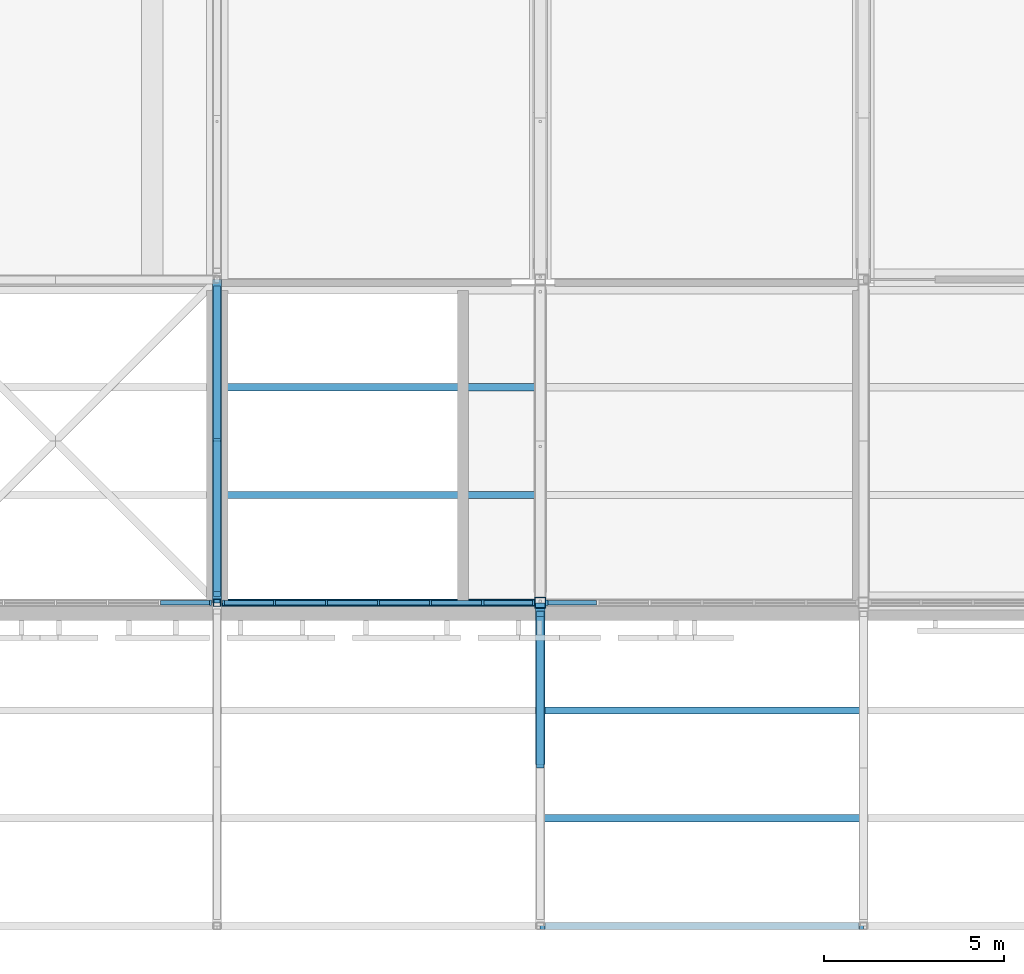
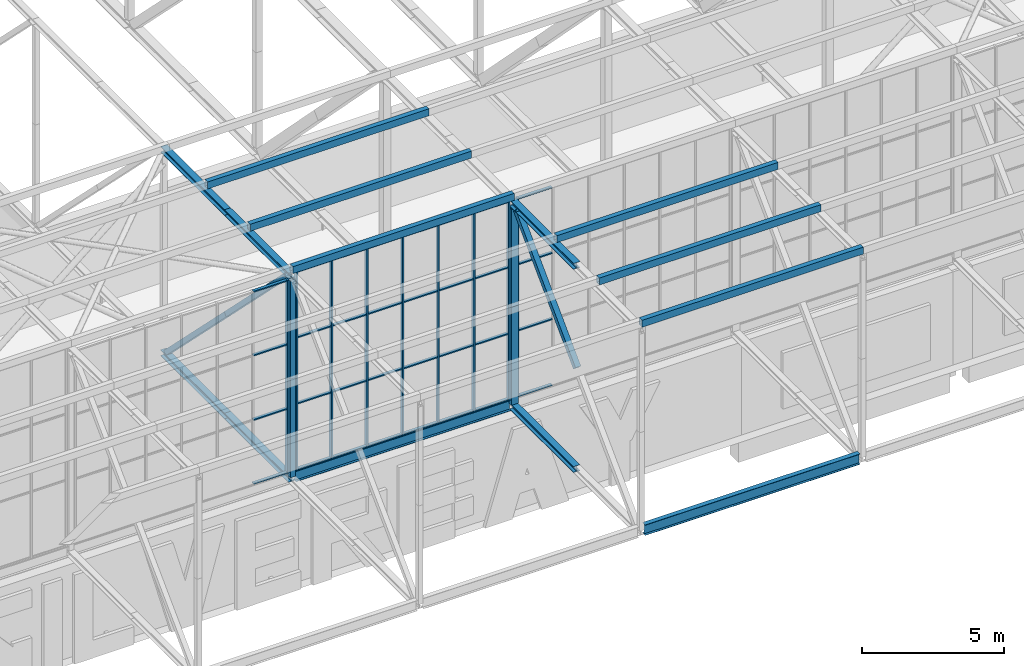
# One storey, part 18 of 646: 60 members, 2 beams, 3 elements without a shape of their own.
"""IFC4 building model written with IfcOpenShell, lengths in metres."""

from ifc_helpers import new_model, si_unit, direction, frame, origin, origin_2d, place, context, subcontext, project, spatial, rectangle, hollow_rectangle, i_section, extrude, material, material_profile, profile_set, type_object, element, aggregate, save


model = new_model("IFC4")

# Units and contexts
model_context = context("Model", 3, precision=1e-05, world=origin(), true_north=direction((0.0, 1.0)))
body_context = subcontext(model_context, "Body", "Model", "MODEL_VIEW")
ifc_project = project(units=[si_unit("LENGTHUNIT", "METRE"), si_unit("AREAUNIT", "SQUARE_METRE"), si_unit("VOLUMEUNIT", "CUBIC_METRE"), si_unit("PLANEANGLEUNIT", "RADIAN"), si_unit("MASSUNIT", "GRAM", prefix="KILO")], contexts=[model_context])

# Site, building, storey
site_placement = place(None, origin())
site = spatial("IfcSite", under=ifc_project, at=site_placement, CompositionType="ELEMENT")
building_placement = place(site_placement, origin())
building = spatial("IfcBuilding", under=site, at=building_placement, Name="Silverbay Arena", CompositionType="ELEMENT")
storey_placement = place(building_placement, frame((0.0, 0.0, 33.5)))
storey = spatial("IfcBuildingStorey", under=building, at=storey_placement, Name="L05", CompositionType="ELEMENT", Elevation=33.5)

# Members
ifc_material_1 = material(Name="Steel S355", Category="steel")
ifc_material_profile_1 = material_profile(ifc_material_1, i_section(OverallWidth=0.2587890625, OverallDepth=0.2666015625, WebThickness=0.0126953125, FlangeThickness=0.0205078125, at=origin_2d()), Name="UC 254x254x107")
ifc_profile_set_1 = profile_set([ifc_material_profile_1], Name="Steel S355")
member_type_1 = type_object("IfcMemberType", Name="Main-span bottom chord UC 254x254x107", PredefinedType="CHORD", material=ifc_profile_set_1)
member_1_placement = place(storey_placement, frame((108.0, 13.5, 4.13330078125), z_axis=(0.0, 1.0, 0.0), x_axis=(-1.0, 0.0, 0.0)))
element("IfcMember", 1, at=member_1_placement, inside=storey, type_object=member_type_1, Name="ROOF TRUSS 13 bottom chord 01b", PredefinedType="CHORD", context=body_context, shape_type="SweptSolid", body=[
    extrude(i_section(OverallWidth=0.2587890625, OverallDepth=0.2666015625, WebThickness=0.0126953125, FlangeThickness=0.0205078125, at=origin_2d()), origin(), (0.0, 0.0, 1.0), 4.5),
])
ifc_material_2 = material(Name="Steel S355", Category="steel")
ifc_material_profile_2 = material_profile(ifc_material_2, i_section(OverallWidth=0.2587890625, OverallDepth=0.2666015625, WebThickness=0.0126953125, FlangeThickness=0.0205078125, at=origin_2d()), Name="UC 254x254x107")
ifc_profile_set_2 = profile_set([ifc_material_profile_2], Name="Steel S355")
member_type_2 = type_object("IfcMemberType", Name="Main-span top chord UC 254x254x107", PredefinedType="CHORD", material=ifc_profile_set_2)
member_2_placement = place(storey_placement, frame((108.0, 13.5, 12.86669921875), z_axis=(0.0, 1.0, 0.0), x_axis=(-1.0, 0.0, 0.0)))
element("IfcMember", 2, at=member_2_placement, inside=storey, type_object=member_type_2, Name="ROOF TRUSS 13 top chord 01b", PredefinedType="CHORD", context=body_context, shape_type="SweptSolid", body=[
    extrude(i_section(OverallWidth=0.2587890625, OverallDepth=0.2666015625, WebThickness=0.0126953125, FlangeThickness=0.0205078125, at=origin_2d()), origin(), (0.0, 0.0, 1.0), 4.5),
])
ifc_material_3 = material(Name="Steel S355", Category="steel")
ifc_material_profile_3 = material_profile(ifc_material_3, hollow_rectangle(XDim=0.219970703125, YDim=0.219970703125, WallThickness=0.008056640625, at=origin_2d()), Name="SHS 220x220x8")
ifc_profile_set_3 = profile_set([ifc_material_profile_3], Name="Steel S355")
member_type_3 = type_object("IfcMemberType", Name="Main-span truss diagonal SHS 220x220x8", PredefinedType="BRACE", material=ifc_profile_set_3)
member_3_placement = place(storey_placement, frame((108.0, 17.689453125, 12.7333984375), z_axis=(0.0, -0.70551102507, -0.708698944196), x_axis=(1.0, 0.0, 0.0)))
element("IfcMember", 3, at=member_3_placement, inside=storey, type_object=member_type_3, Name="ROOF TRUSS 13 diagonal 01a", PredefinedType="BRACE", context=body_context, shape_type="SweptSolid", body=[
    extrude(hollow_rectangle(XDim=0.219970703125, YDim=0.219970703125, WallThickness=0.008056640625, at=origin_2d()), origin(), (0.0, 0.0, 1.0), 5.973388671875),
])
ifc_material_4 = material(Name="Steel S355", Category="steel")
ifc_material_profile_4 = material_profile(ifc_material_4, hollow_rectangle(XDim=0.300048828125, YDim=0.300048828125, WallThickness=0.012451171875, at=origin_2d()), Name="SHS 300x300x12.5")
ifc_profile_set_4 = profile_set([ifc_material_profile_4], Name="Steel S355")
member_type_4 = type_object("IfcMemberType", Name="Main-span truss vertical SHS 300x300x12.5", PredefinedType="STRUT", material=ifc_profile_set_4)
for number, where, z_axis, x_axis, name in (
    (4, (108.0, 18.0, 4.2666015625), (0.0, 0.0, 1.0), (1.0, 0.0, 0.0), "ROOF TRUSS 13 vertical 02a"),
    (5, (108.0, 18.0, 8.47607421875), (0.0, 0.0, 1.0), (1.0, 0.0, 0.0), "ROOF TRUSS 13 vertical 02b"),
):
    element("IfcMember", number, at=place(storey_placement, frame(where, z_axis=z_axis, x_axis=x_axis)), inside=storey, type_object=member_type_4, Name=name, PredefinedType="STRUT", context=body_context, shape_type="SweptSolid", body=[
        extrude(hollow_rectangle(XDim=0.300048828125, YDim=0.300048828125, WallThickness=0.012451171875, at=origin_2d()), origin(), (0.0, 0.0, 1.0), 4.20947265625),
    ])
ifc_material_5 = material(Name="Steel S355", Category="steel")
ifc_material_profile_5 = material_profile(ifc_material_5, i_section(OverallWidth=0.254638671875, OverallDepth=0.254150390625, WebThickness=0.008544921875, FlangeThickness=0.01416015625, at=origin_2d()), Name="UC 254x254x73")
ifc_profile_set_5 = profile_set([ifc_material_profile_5], Name="Steel S355")
member_type_5 = type_object("IfcMemberType", Name="Medium-span bottom chord UC 254x254x73", PredefinedType="CHORD", material=ifc_profile_set_5)
for number, where, z_axis, x_axis, name in (
    (6, (99.0, 18.0, 4.126953125), (0.0, 1.0, 0.0), (-1.0, 0.0, 0.0), "ROOF TRUSS 12 bottom chord 02a"),
    (7, (99.0, 22.5, 4.126953125), (0.0, 1.0, 0.0), (-1.0, 0.0, 0.0), "ROOF TRUSS 12 bottom chord 02b"),
):
    element("IfcMember", number, at=place(storey_placement, frame(where, z_axis=z_axis, x_axis=x_axis)), inside=storey, type_object=member_type_5, Name=name, PredefinedType="CHORD", context=body_context, shape_type="SweptSolid", body=[
        extrude(i_section(OverallWidth=0.254638671875, OverallDepth=0.254150390625, WebThickness=0.008544921875, FlangeThickness=0.01416015625, at=origin_2d()), origin(), (0.0, 0.0, 1.0), 4.5),
    ])
ifc_material_6 = material(Name="Steel S355", Category="steel")
ifc_material_profile_6 = material_profile(ifc_material_6, i_section(OverallWidth=0.254638671875, OverallDepth=0.254150390625, WebThickness=0.008544921875, FlangeThickness=0.01416015625, at=origin_2d()), Name="UC 254x254x73")
ifc_profile_set_6 = profile_set([ifc_material_profile_6], Name="Steel S355")
member_type_6 = type_object("IfcMemberType", Name="Medium-span top chord UC 254x254x73", PredefinedType="CHORD", material=ifc_profile_set_6)
for number, where, z_axis, x_axis, name in (
    (8, (99.0, 18.0, 12.873046875), (0.0, 1.0, 0.0), (-1.0, 0.0, 0.0), "ROOF TRUSS 12 top chord 02a"),
    (9, (99.0, 22.5, 12.873046875), (0.0, 1.0, 0.0), (-1.0, 0.0, 0.0), "ROOF TRUSS 12 top chord 02b"),
):
    element("IfcMember", number, at=place(storey_placement, frame(where, z_axis=z_axis, x_axis=x_axis)), inside=storey, type_object=member_type_6, Name=name, PredefinedType="CHORD", context=body_context, shape_type="SweptSolid", body=[
        extrude(i_section(OverallWidth=0.254638671875, OverallDepth=0.254150390625, WebThickness=0.008544921875, FlangeThickness=0.01416015625, at=origin_2d()), origin(), (0.0, 0.0, 1.0), 4.5),
    ])
ifc_material_7 = material(Name="Steel S355", Category="steel")
ifc_material_profile_7 = material_profile(ifc_material_7, hollow_rectangle(XDim=0.199951171875, YDim=0.199951171875, WallThickness=0.008056640625, at=origin_2d()), Name="SHS 200x200x8")
ifc_profile_set_7 = profile_set([ifc_material_profile_7], Name="Steel S355")
member_type_7 = type_object("IfcMemberType", Name="Medium-span truss diagonal SHS 200x200x8", PredefinedType="BRACE", material=ifc_profile_set_7)
for number, where, z_axis, x_axis, name in (
    (10, (99.0, 18.24560546875, 12.745849609375), (0.0, 0.70781724692, -0.706395600894), (-1.0, 0.0, 0.0), "ROOF TRUSS 12 diagonal 02a"),
    (11, (99.0, 22.5, 8.5), (0.0, 0.70781724692, -0.706395600894), (-1.0, 0.0, 0.0), "ROOF TRUSS 12 diagonal 02b"),
):
    element("IfcMember", number, at=place(storey_placement, frame(where, z_axis=z_axis, x_axis=x_axis)), inside=storey, type_object=member_type_7, Name=name, PredefinedType="BRACE", context=body_context, shape_type="SweptSolid", body=[
        extrude(hollow_rectangle(XDim=0.199951171875, YDim=0.199951171875, WallThickness=0.008056640625, at=origin_2d()), origin(), (0.0, 0.0, 1.0), 6.010498046875),
    ])
ifc_material_8 = material(Name="Steel S355", Category="steel")
ifc_material_profile_8 = material_profile(ifc_material_8, hollow_rectangle(XDim=0.199951171875, YDim=0.199951171875, WallThickness=0.008056640625, at=origin_2d()), Name="SHS 200x200x8")
ifc_profile_set_8 = profile_set([ifc_material_profile_8], Name="Steel S355")
member_type_8 = type_object("IfcMemberType", Name="Medium-span truss vertical SHS 200x200x8", PredefinedType="STRUT", material=ifc_profile_set_8)
for number, where, z_axis, x_axis, name in (
    (12, (99.0, 18.0, 4.254150390625), (0.0, 0.0, 1.0), (1.0, 0.0, 0.0), "ROOF TRUSS 12 vertical 02a"),
    (13, (99.0, 18.0, 8.5), (0.0, 0.0, 1.0), (1.0, 0.0, 0.0), "ROOF TRUSS 12 vertical 02b"),
):
    element("IfcMember", number, at=place(storey_placement, frame(where, z_axis=z_axis, x_axis=x_axis)), inside=storey, type_object=member_type_8, Name=name, PredefinedType="STRUT", context=body_context, shape_type="SweptSolid", body=[
        extrude(hollow_rectangle(XDim=0.199951171875, YDim=0.199951171875, WallThickness=0.008056640625, at=origin_2d()), origin(), (0.0, 0.0, 1.0), 4.245849609375),
    ])

# Curtain wall, member
ifc_material_9 = material(Name="Aluminium framed glazing", Category="aluminium")
curtain_wall_type_1 = type_object("IfcCurtainWallType", Name="Curtain wall clerestory 8693 x 8303", PredefinedType="NOTDEFINED", material=ifc_material_9)
curtain_wall_1_placement = place(storey_placement, origin())
curtain_wall_1 = element("IfcCurtainWall", 14, at=curtain_wall_1_placement, inside=storey, type_object=curtain_wall_type_1, Name="ROOF CLERESTORY CURTAIN WALL south bay 05", PredefinedType="NOTDEFINED")
ifc_material_10 = material(Name="Aluminium", Category="aluminium")
ifc_material_profile_9 = material_profile(ifc_material_10, rectangle(XDim=0.159912109375, YDim=0.06005859375, at=origin_2d()), Name="Mullion 60 x 160")
ifc_profile_set_9 = profile_set([ifc_material_profile_9], Name="Aluminium")
member_type_9 = type_object("IfcMemberType", Name="Mullion 60 x 160", PredefinedType="MULLION", material=ifc_profile_set_9)
member_4_placement = place(storey_placement, frame((98.81640625, 18.0, 4.4599609375), z_axis=(0.0, 0.0, 1.0), x_axis=(0.0, 1.0, 0.0)))
member_4 = element("IfcMember", 15, at=member_4_placement, type_object=member_type_9, Name="CW54 mullion 7", PredefinedType="MULLION", context=body_context, shape_type="SweptSolid", body=[
    extrude(rectangle(XDim=0.159912109375, YDim=0.06005859375, at=origin_2d()), origin(), (0.0, 0.0, 1.0), 8.303466796875),
])

# Curtain wall, members
ifc_material_11 = material(Name="Aluminium framed glazing", Category="aluminium")
curtain_wall_type_2 = type_object("IfcCurtainWallType", Name="Curtain wall clerestory 8693 x 8540", PredefinedType="NOTDEFINED", material=ifc_material_11)
curtain_wall_2_placement = place(storey_placement, origin())
curtain_wall_2 = element("IfcCurtainWall", 16, at=curtain_wall_2_placement, inside=storey, type_object=curtain_wall_type_2, Name="ROOF CLERESTORY CURTAIN WALL south bay 06", PredefinedType="NOTDEFINED")
member_5_placement = place(storey_placement, frame((99.18359375, 18.0, 4.4599609375), z_axis=(0.0, 0.0, 1.0), x_axis=(0.0, 1.0, 0.0)))
member_5 = element("IfcMember", 17, at=member_5_placement, type_object=member_type_9, Name="CW55 mullion 1", PredefinedType="MULLION", context=body_context, shape_type="SweptSolid", body=[
    extrude(rectangle(XDim=0.159912109375, YDim=0.06005859375, at=origin_2d()), origin(), (0.0, 0.0, 1.0), 8.5400390625),
])
member_6_placement = place(storey_placement, frame((100.6025390625, 18.0, 4.4599609375), z_axis=(0.0, 0.0, 1.0), x_axis=(0.0, 1.0, 0.0)))
member_6 = element("IfcMember", 18, at=member_6_placement, type_object=member_type_9, Name="CW55 mullion 2", PredefinedType="MULLION", context=body_context, shape_type="SweptSolid", body=[
    extrude(rectangle(XDim=0.159912109375, YDim=0.06005859375, at=origin_2d()), origin(), (0.0, 0.0, 1.0), 8.5400390625),
])
member_7_placement = place(storey_placement, frame((102.05126953125, 18.0, 4.4599609375), z_axis=(0.0, 0.0, 1.0), x_axis=(0.0, 1.0, 0.0)))
member_7 = element("IfcMember", 19, at=member_7_placement, type_object=member_type_9, Name="CW55 mullion 3", PredefinedType="MULLION", context=body_context, shape_type="SweptSolid", body=[
    extrude(rectangle(XDim=0.159912109375, YDim=0.06005859375, at=origin_2d()), origin(), (0.0, 0.0, 1.0), 8.5400390625),
])
member_8_placement = place(storey_placement, frame((103.5, 18.0, 4.4599609375), z_axis=(0.0, 0.0, 1.0), x_axis=(0.0, 1.0, 0.0)))
member_8 = element("IfcMember", 20, at=member_8_placement, type_object=member_type_9, Name="CW55 mullion 4", PredefinedType="MULLION", context=body_context, shape_type="SweptSolid", body=[
    extrude(rectangle(XDim=0.159912109375, YDim=0.06005859375, at=origin_2d()), origin(), (0.0, 0.0, 1.0), 8.5400390625),
])
member_9_placement = place(storey_placement, frame((104.94873046875, 18.0, 4.4599609375), z_axis=(0.0, 0.0, 1.0), x_axis=(0.0, 1.0, 0.0)))
member_9 = element("IfcMember", 21, at=member_9_placement, type_object=member_type_9, Name="CW55 mullion 5", PredefinedType="MULLION", context=body_context, shape_type="SweptSolid", body=[
    extrude(rectangle(XDim=0.159912109375, YDim=0.06005859375, at=origin_2d()), origin(), (0.0, 0.0, 1.0), 8.5400390625),
])
member_10_placement = place(storey_placement, frame((106.3974609375, 18.0, 4.4599609375), z_axis=(0.0, 0.0, 1.0), x_axis=(0.0, 1.0, 0.0)))
member_10 = element("IfcMember", 22, at=member_10_placement, type_object=member_type_9, Name="CW55 mullion 6", PredefinedType="MULLION", context=body_context, shape_type="SweptSolid", body=[
    extrude(rectangle(XDim=0.159912109375, YDim=0.06005859375, at=origin_2d()), origin(), (0.0, 0.0, 1.0), 8.5400390625),
])
member_11_placement = place(storey_placement, frame((107.81640625, 18.0, 4.4599609375), z_axis=(0.0, 0.0, 1.0), x_axis=(0.0, 1.0, 0.0)))
member_11 = element("IfcMember", 23, at=member_11_placement, type_object=member_type_9, Name="CW55 mullion 7", PredefinedType="MULLION", context=body_context, shape_type="SweptSolid", body=[
    extrude(rectangle(XDim=0.159912109375, YDim=0.06005859375, at=origin_2d()), origin(), (0.0, 0.0, 1.0), 8.5400390625),
])

# Curtain wall, member
curtain_wall_3_placement = place(storey_placement, origin())
curtain_wall_3 = element("IfcCurtainWall", 24, at=curtain_wall_3_placement, inside=storey, type_object=curtain_wall_type_2, Name="ROOF CLERESTORY CURTAIN WALL south bay 07", PredefinedType="NOTDEFINED")
member_12_placement = place(storey_placement, frame((108.18359375, 18.0, 4.4599609375), z_axis=(0.0, 0.0, 1.0), x_axis=(0.0, 1.0, 0.0)))
member_12 = element("IfcMember", 25, at=member_12_placement, type_object=member_type_9, Name="CW55 mullion 1", PredefinedType="MULLION", context=body_context, shape_type="SweptSolid", body=[
    extrude(rectangle(XDim=0.159912109375, YDim=0.06005859375, at=origin_2d()), origin(), (0.0, 0.0, 1.0), 8.5400390625),
])

# Members
ifc_material_12 = material(Name="Steel S355", Category="steel")
ifc_material_profile_10 = material_profile(ifc_material_12, hollow_rectangle(XDim=0.199951171875, YDim=0.300048828125, WallThickness=0.00634765625, at=origin_2d()), Name="RHS 300x200x6.3")
ifc_profile_set_10 = profile_set([ifc_material_profile_10], Name="Steel S355")
member_type_10 = type_object("IfcMemberType", Name="Purlin RHS 300x200x6.3", PredefinedType="PURLIN", material=ifc_profile_set_10)
member_13_placement = place(storey_placement, frame((99.0, 24.0, 13.14990234375), z_axis=(1.0, 0.0, 0.0), x_axis=(0.0, 1.0, 0.0)))
element("IfcMember", 26, at=member_13_placement, inside=storey, type_object=member_type_10, Name="ROOF PURLIN 12-13 line 06", PredefinedType="PURLIN", context=body_context, shape_type="SweptSolid", body=[
    extrude(hollow_rectangle(XDim=0.199951171875, YDim=0.300048828125, WallThickness=0.00634765625, at=origin_2d()), origin(), (0.0, 0.0, 1.0), 9.0),
])
ifc_material_13 = material(Name="Steel S355", Category="steel")
ifc_material_profile_11 = material_profile(ifc_material_13, hollow_rectangle(XDim=0.199951171875, YDim=0.300048828125, WallThickness=0.008056640625, at=origin_2d()), Name="RHS 300x200x8")
ifc_profile_set_11 = profile_set([ifc_material_profile_11], Name="Steel S355")
member_type_11 = type_object("IfcMemberType", Name="Purlin RHS 300x200x8", PredefinedType="PURLIN", material=ifc_profile_set_11)
for number, where, z_axis, x_axis, name in (
    (27, (99.0, 18.0, 13.14990234375), (1.0, 0.0, 0.0), (0.0, 1.0, 0.0), "ROOF PURLIN 12-13 line 04"),
    (28, (99.0, 21.0, 13.14990234375), (1.0, 0.0, 0.0), (0.0, 1.0, 0.0), "ROOF PURLIN 12-13 line 05"),
    (29, (108.0, 9.0, 13.14990234375), (1.0, 0.0, 0.0), (0.0, 1.0, 0.0), "ROOF PURLIN 13-14 line 01"),
    (30, (108.0, 12.0, 13.14990234375), (1.0, 0.0, 0.0), (0.0, 1.0, 0.0), "ROOF PURLIN 13-14 line 02"),
    (31, (108.0, 15.0, 13.14990234375), (1.0, 0.0, 0.0), (0.0, 1.0, 0.0), "ROOF PURLIN 13-14 line 03"),
):
    element("IfcMember", number, at=place(storey_placement, frame(where, z_axis=z_axis, x_axis=x_axis)), inside=storey, type_object=member_type_11, Name=name, PredefinedType="PURLIN", context=body_context, shape_type="SweptSolid", body=[
        extrude(hollow_rectangle(XDim=0.199951171875, YDim=0.300048828125, WallThickness=0.008056640625, at=origin_2d()), origin(), (0.0, 0.0, 1.0), 9.0),
    ])

# Beams
ifc_material_14 = material(Name="Steel S355", Category="steel")
ifc_material_profile_12 = material_profile(ifc_material_14, i_section(OverallWidth=0.18994140625, OverallDepth=0.453369140625, WebThickness=0.008544921875, FlangeThickness=0.0126953125, at=origin_2d()), Name="UB 457x191x67")
ifc_profile_set_12 = profile_set([ifc_material_profile_12], Name="Steel S355")
beam_type_1 = type_object("IfcBeamType", Name="Ring beam UB 457x191x67", PredefinedType="BEAM", material=ifc_profile_set_12)
beam_1_placement = place(storey_placement, frame((108.12939453125, 9.0, 4.226806640625), z_axis=(1.0, 0.0, 0.0), x_axis=(0.0, 1.0, 0.0)))
element("IfcBeam", 32, at=beam_1_placement, inside=storey, type_object=beam_type_1, Name="RING BEAM south edge 13-14", PredefinedType="BEAM", context=body_context, shape_type="SweptSolid", body=[
    extrude(i_section(OverallWidth=0.18994140625, OverallDepth=0.453369140625, WebThickness=0.008544921875, FlangeThickness=0.0126953125, at=origin_2d()), origin(), (0.0, 0.0, 1.0), 8.7412109375),
])
ifc_material_15 = material(Name="Steel S355", Category="steel")
ifc_material_profile_13 = material_profile(ifc_material_15, i_section(OverallWidth=0.19140625, OverallDepth=0.4599609375, WebThickness=0.010009765625, FlangeThickness=0.01611328125, at=origin_2d()), Name="UB 457x191x82")
ifc_profile_set_13 = profile_set([ifc_material_profile_13], Name="Steel S355")
beam_type_2 = type_object("IfcBeamType", Name="Ring beam UB 457x191x82", PredefinedType="BEAM", material=ifc_profile_set_13)
beam_2_placement = place(storey_placement, frame((99.127197265625, 18.0, 4.22998046875), z_axis=(1.0, 0.0, 0.0), x_axis=(0.0, 1.0, 0.0)))
element("IfcBeam", 33, at=beam_2_placement, inside=storey, type_object=beam_type_2, Name="RING BEAM south facade 12-13", PredefinedType="BEAM", context=body_context, shape_type="SweptSolid", body=[
    extrude(i_section(OverallWidth=0.19140625, OverallDepth=0.4599609375, WebThickness=0.010009765625, FlangeThickness=0.01611328125, at=origin_2d()), origin(), (0.0, 0.0, 1.0), 8.743408203125),
])

# Member
ifc_material_16 = material(Name="Aluminium", Category="aluminium")
ifc_material_profile_14 = material_profile(ifc_material_16, rectangle(XDim=0.1201171875, YDim=0.050048828125, at=origin_2d()), Name="Transom 50 x 120")
ifc_profile_set_14 = profile_set([ifc_material_profile_14], Name="Aluminium")
member_type_12 = type_object("IfcMemberType", Name="Transom 50 x 120", PredefinedType="USERDEFINED", material=ifc_profile_set_14)
member_14_placement = place(storey_placement, frame((97.427490234375, 18.0, 4.485107421875), z_axis=(1.0, 0.0, 0.0), x_axis=(0.0, 1.0, 0.0)))
member_14 = element("IfcMember", 34, at=member_14_placement, type_object=member_type_12, Name="CW54 transom 6.1", ObjectType="TRANSOM", PredefinedType="USERDEFINED", context=body_context, shape_type="SweptSolid", body=[
    extrude(rectangle(XDim=0.1201171875, YDim=0.050048828125, at=origin_2d()), origin(), (0.0, 0.0, 1.0), 1.35888671875),
])

member_15_placement = place(storey_placement, frame((97.427490234375, 18.0, 7.227783203125), z_axis=(1.0, 0.0, 0.0), x_axis=(0.0, 1.0, 0.0)))
member_15 = element("IfcMember", 35, at=member_15_placement, type_object=member_type_12, Name="CW54 transom 6.2", ObjectType="TRANSOM", PredefinedType="USERDEFINED", context=body_context, shape_type="SweptSolid", body=[
    extrude(rectangle(XDim=0.1201171875, YDim=0.050048828125, at=origin_2d()), origin(), (0.0, 0.0, 1.0), 1.35888671875),
])

member_16_placement = place(storey_placement, frame((97.427490234375, 18.0, 9.99560546875), z_axis=(1.0, 0.0, 0.0), x_axis=(0.0, 1.0, 0.0)))
member_16 = element("IfcMember", 36, at=member_16_placement, type_object=member_type_12, Name="CW54 transom 6.3", ObjectType="TRANSOM", PredefinedType="USERDEFINED", context=body_context, shape_type="SweptSolid", body=[
    extrude(rectangle(XDim=0.1201171875, YDim=0.050048828125, at=origin_2d()), origin(), (0.0, 0.0, 1.0), 1.35888671875),
])

member_17_placement = place(storey_placement, frame((97.427490234375, 18.0, 12.73828125), z_axis=(1.0, 0.0, 0.0), x_axis=(0.0, 1.0, 0.0)))
member_17 = element("IfcMember", 37, at=member_17_placement, type_object=member_type_12, Name="CW54 transom 6.4", ObjectType="TRANSOM", PredefinedType="USERDEFINED", context=body_context, shape_type="SweptSolid", body=[
    extrude(rectangle(XDim=0.1201171875, YDim=0.050048828125, at=origin_2d()), origin(), (0.0, 0.0, 1.0), 1.35888671875),
])

aggregate(curtain_wall_1, [member_4, member_14, member_15, member_16, member_17])

member_18_placement = place(storey_placement, frame((99.213623046875, 18.0, 4.485107421875), z_axis=(1.0, 0.0, 0.0), x_axis=(0.0, 1.0, 0.0)))
member_18 = element("IfcMember", 38, at=member_18_placement, type_object=member_type_12, Name="CW55 transom 1.1", ObjectType="TRANSOM", PredefinedType="USERDEFINED", context=body_context, shape_type="SweptSolid", body=[
    extrude(rectangle(XDim=0.1201171875, YDim=0.050048828125, at=origin_2d()), origin(), (0.0, 0.0, 1.0), 1.35888671875),
])

member_19_placement = place(storey_placement, frame((99.213623046875, 18.0, 7.306640625), z_axis=(1.0, 0.0, 0.0), x_axis=(0.0, 1.0, 0.0)))
member_19 = element("IfcMember", 39, at=member_19_placement, type_object=member_type_12, Name="CW55 transom 1.2", ObjectType="TRANSOM", PredefinedType="USERDEFINED", context=body_context, shape_type="SweptSolid", body=[
    extrude(rectangle(XDim=0.1201171875, YDim=0.050048828125, at=origin_2d()), origin(), (0.0, 0.0, 1.0), 1.35888671875),
])

member_20_placement = place(storey_placement, frame((99.213623046875, 18.0, 10.1533203125), z_axis=(1.0, 0.0, 0.0), x_axis=(0.0, 1.0, 0.0)))
member_20 = element("IfcMember", 40, at=member_20_placement, type_object=member_type_12, Name="CW55 transom 1.3", ObjectType="TRANSOM", PredefinedType="USERDEFINED", context=body_context, shape_type="SweptSolid", body=[
    extrude(rectangle(XDim=0.1201171875, YDim=0.050048828125, at=origin_2d()), origin(), (0.0, 0.0, 1.0), 1.35888671875),
])

member_21_placement = place(storey_placement, frame((99.213623046875, 18.0, 12.97509765625), z_axis=(1.0, 0.0, 0.0), x_axis=(0.0, 1.0, 0.0)))
member_21 = element("IfcMember", 41, at=member_21_placement, type_object=member_type_12, Name="CW55 transom 1.4", ObjectType="TRANSOM", PredefinedType="USERDEFINED", context=body_context, shape_type="SweptSolid", body=[
    extrude(rectangle(XDim=0.1201171875, YDim=0.050048828125, at=origin_2d()), origin(), (0.0, 0.0, 1.0), 1.35888671875),
])

member_22_placement = place(storey_placement, frame((100.632568359375, 18.0, 4.485107421875), z_axis=(1.0, 0.0, 0.0), x_axis=(0.0, 1.0, 0.0)))
member_22 = element("IfcMember", 42, at=member_22_placement, type_object=member_type_12, Name="CW55 transom 2.1", ObjectType="TRANSOM", PredefinedType="USERDEFINED", context=body_context, shape_type="SweptSolid", body=[
    extrude(rectangle(XDim=0.1201171875, YDim=0.050048828125, at=origin_2d()), origin(), (0.0, 0.0, 1.0), 1.388671875),
])

member_23_placement = place(storey_placement, frame((100.632568359375, 18.0, 7.306640625), z_axis=(1.0, 0.0, 0.0), x_axis=(0.0, 1.0, 0.0)))
member_23 = element("IfcMember", 43, at=member_23_placement, type_object=member_type_12, Name="CW55 transom 2.2", ObjectType="TRANSOM", PredefinedType="USERDEFINED", context=body_context, shape_type="SweptSolid", body=[
    extrude(rectangle(XDim=0.1201171875, YDim=0.050048828125, at=origin_2d()), origin(), (0.0, 0.0, 1.0), 1.388671875),
])

member_24_placement = place(storey_placement, frame((100.632568359375, 18.0, 10.1533203125), z_axis=(1.0, 0.0, 0.0), x_axis=(0.0, 1.0, 0.0)))
member_24 = element("IfcMember", 44, at=member_24_placement, type_object=member_type_12, Name="CW55 transom 2.3", ObjectType="TRANSOM", PredefinedType="USERDEFINED", context=body_context, shape_type="SweptSolid", body=[
    extrude(rectangle(XDim=0.1201171875, YDim=0.050048828125, at=origin_2d()), origin(), (0.0, 0.0, 1.0), 1.388671875),
])

member_25_placement = place(storey_placement, frame((100.632568359375, 18.0, 12.97509765625), z_axis=(1.0, 0.0, 0.0), x_axis=(0.0, 1.0, 0.0)))
member_25 = element("IfcMember", 45, at=member_25_placement, type_object=member_type_12, Name="CW55 transom 2.4", ObjectType="TRANSOM", PredefinedType="USERDEFINED", context=body_context, shape_type="SweptSolid", body=[
    extrude(rectangle(XDim=0.1201171875, YDim=0.050048828125, at=origin_2d()), origin(), (0.0, 0.0, 1.0), 1.388671875),
])

member_26_placement = place(storey_placement, frame((102.081298828125, 18.0, 4.485107421875), z_axis=(1.0, 0.0, 0.0), x_axis=(0.0, 1.0, 0.0)))
member_26 = element("IfcMember", 46, at=member_26_placement, type_object=member_type_12, Name="CW55 transom 3.1", ObjectType="TRANSOM", PredefinedType="USERDEFINED", context=body_context, shape_type="SweptSolid", body=[
    extrude(rectangle(XDim=0.1201171875, YDim=0.050048828125, at=origin_2d()), origin(), (0.0, 0.0, 1.0), 1.388671875),
])

member_27_placement = place(storey_placement, frame((102.081298828125, 18.0, 7.306640625), z_axis=(1.0, 0.0, 0.0), x_axis=(0.0, 1.0, 0.0)))
member_27 = element("IfcMember", 47, at=member_27_placement, type_object=member_type_12, Name="CW55 transom 3.2", ObjectType="TRANSOM", PredefinedType="USERDEFINED", context=body_context, shape_type="SweptSolid", body=[
    extrude(rectangle(XDim=0.1201171875, YDim=0.050048828125, at=origin_2d()), origin(), (0.0, 0.0, 1.0), 1.388671875),
])

member_28_placement = place(storey_placement, frame((102.081298828125, 18.0, 10.1533203125), z_axis=(1.0, 0.0, 0.0), x_axis=(0.0, 1.0, 0.0)))
member_28 = element("IfcMember", 48, at=member_28_placement, type_object=member_type_12, Name="CW55 transom 3.3", ObjectType="TRANSOM", PredefinedType="USERDEFINED", context=body_context, shape_type="SweptSolid", body=[
    extrude(rectangle(XDim=0.1201171875, YDim=0.050048828125, at=origin_2d()), origin(), (0.0, 0.0, 1.0), 1.388671875),
])

member_29_placement = place(storey_placement, frame((102.081298828125, 18.0, 12.97509765625), z_axis=(1.0, 0.0, 0.0), x_axis=(0.0, 1.0, 0.0)))
member_29 = element("IfcMember", 49, at=member_29_placement, type_object=member_type_12, Name="CW55 transom 3.4", ObjectType="TRANSOM", PredefinedType="USERDEFINED", context=body_context, shape_type="SweptSolid", body=[
    extrude(rectangle(XDim=0.1201171875, YDim=0.050048828125, at=origin_2d()), origin(), (0.0, 0.0, 1.0), 1.388671875),
])

member_30_placement = place(storey_placement, frame((103.530029296875, 18.0, 4.485107421875), z_axis=(1.0, 0.0, 0.0), x_axis=(0.0, 1.0, 0.0)))
member_30 = element("IfcMember", 50, at=member_30_placement, type_object=member_type_12, Name="CW55 transom 4.1", ObjectType="TRANSOM", PredefinedType="USERDEFINED", context=body_context, shape_type="SweptSolid", body=[
    extrude(rectangle(XDim=0.1201171875, YDim=0.050048828125, at=origin_2d()), origin(), (0.0, 0.0, 1.0), 1.388671875),
])

member_31_placement = place(storey_placement, frame((103.530029296875, 18.0, 7.306640625), z_axis=(1.0, 0.0, 0.0), x_axis=(0.0, 1.0, 0.0)))
member_31 = element("IfcMember", 51, at=member_31_placement, type_object=member_type_12, Name="CW55 transom 4.2", ObjectType="TRANSOM", PredefinedType="USERDEFINED", context=body_context, shape_type="SweptSolid", body=[
    extrude(rectangle(XDim=0.1201171875, YDim=0.050048828125, at=origin_2d()), origin(), (0.0, 0.0, 1.0), 1.388671875),
])

member_32_placement = place(storey_placement, frame((103.530029296875, 18.0, 10.1533203125), z_axis=(1.0, 0.0, 0.0), x_axis=(0.0, 1.0, 0.0)))
member_32 = element("IfcMember", 52, at=member_32_placement, type_object=member_type_12, Name="CW55 transom 4.3", ObjectType="TRANSOM", PredefinedType="USERDEFINED", context=body_context, shape_type="SweptSolid", body=[
    extrude(rectangle(XDim=0.1201171875, YDim=0.050048828125, at=origin_2d()), origin(), (0.0, 0.0, 1.0), 1.388671875),
])

member_33_placement = place(storey_placement, frame((103.530029296875, 18.0, 12.97509765625), z_axis=(1.0, 0.0, 0.0), x_axis=(0.0, 1.0, 0.0)))
member_33 = element("IfcMember", 53, at=member_33_placement, type_object=member_type_12, Name="CW55 transom 4.4", ObjectType="TRANSOM", PredefinedType="USERDEFINED", context=body_context, shape_type="SweptSolid", body=[
    extrude(rectangle(XDim=0.1201171875, YDim=0.050048828125, at=origin_2d()), origin(), (0.0, 0.0, 1.0), 1.388671875),
])

member_34_placement = place(storey_placement, frame((104.978759765625, 18.0, 4.485107421875), z_axis=(1.0, 0.0, 0.0), x_axis=(0.0, 1.0, 0.0)))
member_34 = element("IfcMember", 54, at=member_34_placement, type_object=member_type_12, Name="CW55 transom 5.1", ObjectType="TRANSOM", PredefinedType="USERDEFINED", context=body_context, shape_type="SweptSolid", body=[
    extrude(rectangle(XDim=0.1201171875, YDim=0.050048828125, at=origin_2d()), origin(), (0.0, 0.0, 1.0), 1.388671875),
])

member_35_placement = place(storey_placement, frame((104.978759765625, 18.0, 7.306640625), z_axis=(1.0, 0.0, 0.0), x_axis=(0.0, 1.0, 0.0)))
member_35 = element("IfcMember", 55, at=member_35_placement, type_object=member_type_12, Name="CW55 transom 5.2", ObjectType="TRANSOM", PredefinedType="USERDEFINED", context=body_context, shape_type="SweptSolid", body=[
    extrude(rectangle(XDim=0.1201171875, YDim=0.050048828125, at=origin_2d()), origin(), (0.0, 0.0, 1.0), 1.388671875),
])

member_36_placement = place(storey_placement, frame((104.978759765625, 18.0, 10.1533203125), z_axis=(1.0, 0.0, 0.0), x_axis=(0.0, 1.0, 0.0)))
member_36 = element("IfcMember", 56, at=member_36_placement, type_object=member_type_12, Name="CW55 transom 5.3", ObjectType="TRANSOM", PredefinedType="USERDEFINED", context=body_context, shape_type="SweptSolid", body=[
    extrude(rectangle(XDim=0.1201171875, YDim=0.050048828125, at=origin_2d()), origin(), (0.0, 0.0, 1.0), 1.388671875),
])

member_37_placement = place(storey_placement, frame((104.978759765625, 18.0, 12.97509765625), z_axis=(1.0, 0.0, 0.0), x_axis=(0.0, 1.0, 0.0)))
member_37 = element("IfcMember", 57, at=member_37_placement, type_object=member_type_12, Name="CW55 transom 5.4", ObjectType="TRANSOM", PredefinedType="USERDEFINED", context=body_context, shape_type="SweptSolid", body=[
    extrude(rectangle(XDim=0.1201171875, YDim=0.050048828125, at=origin_2d()), origin(), (0.0, 0.0, 1.0), 1.388671875),
])

member_38_placement = place(storey_placement, frame((106.427490234375, 18.0, 4.485107421875), z_axis=(1.0, 0.0, 0.0), x_axis=(0.0, 1.0, 0.0)))
member_38 = element("IfcMember", 58, at=member_38_placement, type_object=member_type_12, Name="CW55 transom 6.1", ObjectType="TRANSOM", PredefinedType="USERDEFINED", context=body_context, shape_type="SweptSolid", body=[
    extrude(rectangle(XDim=0.1201171875, YDim=0.050048828125, at=origin_2d()), origin(), (0.0, 0.0, 1.0), 1.35888671875),
])

member_39_placement = place(storey_placement, frame((106.427490234375, 18.0, 7.306640625), z_axis=(1.0, 0.0, 0.0), x_axis=(0.0, 1.0, 0.0)))
member_39 = element("IfcMember", 59, at=member_39_placement, type_object=member_type_12, Name="CW55 transom 6.2", ObjectType="TRANSOM", PredefinedType="USERDEFINED", context=body_context, shape_type="SweptSolid", body=[
    extrude(rectangle(XDim=0.1201171875, YDim=0.050048828125, at=origin_2d()), origin(), (0.0, 0.0, 1.0), 1.35888671875),
])

member_40_placement = place(storey_placement, frame((106.427490234375, 18.0, 10.1533203125), z_axis=(1.0, 0.0, 0.0), x_axis=(0.0, 1.0, 0.0)))
member_40 = element("IfcMember", 60, at=member_40_placement, type_object=member_type_12, Name="CW55 transom 6.3", ObjectType="TRANSOM", PredefinedType="USERDEFINED", context=body_context, shape_type="SweptSolid", body=[
    extrude(rectangle(XDim=0.1201171875, YDim=0.050048828125, at=origin_2d()), origin(), (0.0, 0.0, 1.0), 1.35888671875),
])

member_41_placement = place(storey_placement, frame((106.427490234375, 18.0, 12.97509765625), z_axis=(1.0, 0.0, 0.0), x_axis=(0.0, 1.0, 0.0)))
member_41 = element("IfcMember", 61, at=member_41_placement, type_object=member_type_12, Name="CW55 transom 6.4", ObjectType="TRANSOM", PredefinedType="USERDEFINED", context=body_context, shape_type="SweptSolid", body=[
    extrude(rectangle(XDim=0.1201171875, YDim=0.050048828125, at=origin_2d()), origin(), (0.0, 0.0, 1.0), 1.35888671875),
])

aggregate(curtain_wall_2, [member_5, member_6, member_7, member_8, member_9, member_10, member_11, member_18, member_19, member_20, member_21, member_22, member_23, member_24, member_25, member_26, member_27, member_28, member_29, member_30, member_31, member_32, member_33, member_34, member_35, member_36, member_37, member_38, member_39, member_40, member_41])

member_42_placement = place(storey_placement, frame((108.213623046875, 18.0, 4.485107421875), z_axis=(1.0, 0.0, 0.0), x_axis=(0.0, 1.0, 0.0)))
member_42 = element("IfcMember", 62, at=member_42_placement, type_object=member_type_12, Name="CW55 transom 1.1", ObjectType="TRANSOM", PredefinedType="USERDEFINED", context=body_context, shape_type="SweptSolid", body=[
    extrude(rectangle(XDim=0.1201171875, YDim=0.050048828125, at=origin_2d()), origin(), (0.0, 0.0, 1.0), 1.35888671875),
])

member_43_placement = place(storey_placement, frame((108.213623046875, 18.0, 7.306640625), z_axis=(1.0, 0.0, 0.0), x_axis=(0.0, 1.0, 0.0)))
member_43 = element("IfcMember", 63, at=member_43_placement, type_object=member_type_12, Name="CW55 transom 1.2", ObjectType="TRANSOM", PredefinedType="USERDEFINED", context=body_context, shape_type="SweptSolid", body=[
    extrude(rectangle(XDim=0.1201171875, YDim=0.050048828125, at=origin_2d()), origin(), (0.0, 0.0, 1.0), 1.35888671875),
])

member_44_placement = place(storey_placement, frame((108.213623046875, 18.0, 10.1533203125), z_axis=(1.0, 0.0, 0.0), x_axis=(0.0, 1.0, 0.0)))
member_44 = element("IfcMember", 64, at=member_44_placement, type_object=member_type_12, Name="CW55 transom 1.3", ObjectType="TRANSOM", PredefinedType="USERDEFINED", context=body_context, shape_type="SweptSolid", body=[
    extrude(rectangle(XDim=0.1201171875, YDim=0.050048828125, at=origin_2d()), origin(), (0.0, 0.0, 1.0), 1.35888671875),
])

member_45_placement = place(storey_placement, frame((108.213623046875, 18.0, 12.97509765625), z_axis=(1.0, 0.0, 0.0), x_axis=(0.0, 1.0, 0.0)))
member_45 = element("IfcMember", 65, at=member_45_placement, type_object=member_type_12, Name="CW55 transom 1.4", ObjectType="TRANSOM", PredefinedType="USERDEFINED", context=body_context, shape_type="SweptSolid", body=[
    extrude(rectangle(XDim=0.1201171875, YDim=0.050048828125, at=origin_2d()), origin(), (0.0, 0.0, 1.0), 1.35888671875),
])

aggregate(curtain_wall_3, [member_12, member_42, member_43, member_44, member_45])

save(model, "model.ifc")
